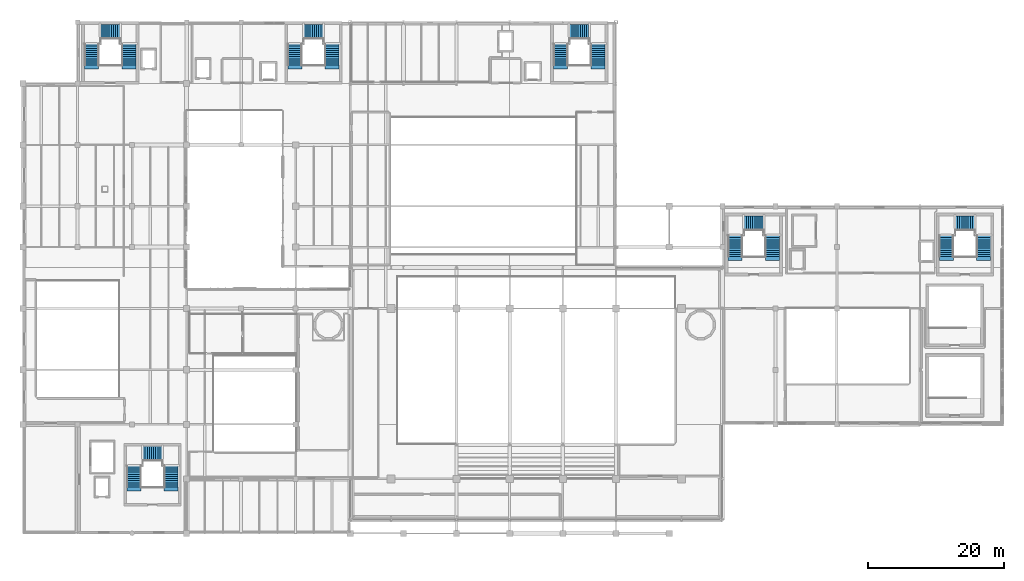
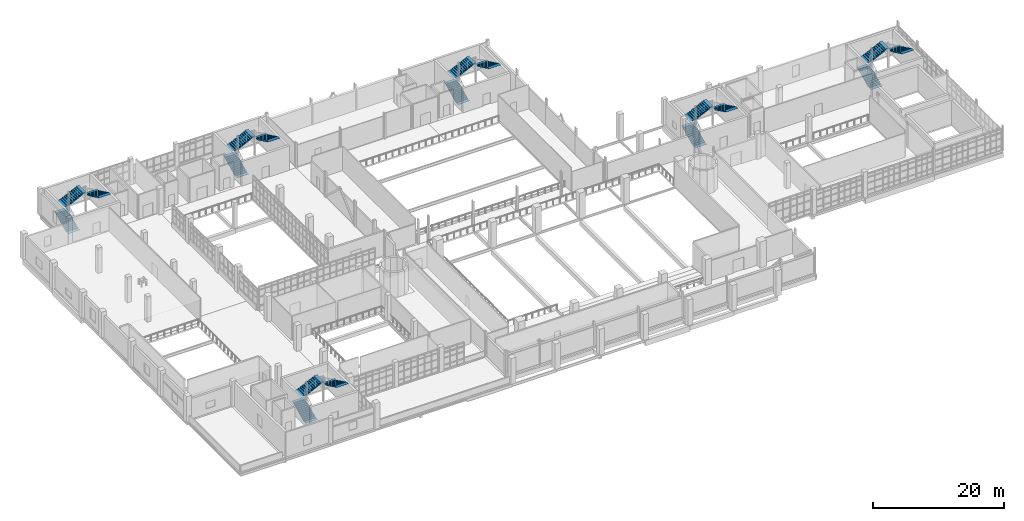
# One storey, part 97 of 102: 18 stair flights, 6 elements without a shape of their own.
"""IFC4 building model written with IfcOpenShell, lengths in metres."""

from ifc_helpers import new_model, si_unit, derived_unit, direction, frame, origin, place, context, subcontext, project, spatial, polyline, outline, extrude, material, type_object, element, aggregate, save


model = new_model("IFC4")

# Units and contexts
model_context = context("Model", 3, precision=1e-05, world=origin(), true_north=direction((0.0, 1.0)))
body_context = subcontext(model_context, "Body", "Model", "MODEL_VIEW")
ifc_project = project(units=[si_unit("LENGTHUNIT", "METRE"), si_unit("AREAUNIT", "SQUARE_METRE"), si_unit("VOLUMEUNIT", "CUBIC_METRE"), si_unit("PLANEANGLEUNIT", "RADIAN"), si_unit("MASSUNIT", "GRAM", prefix="KILO"), derived_unit("THERMALTRANSMITTANCEUNIT", [(si_unit("POWERUNIT", "WATT"), 1), (si_unit("LENGTHUNIT", "METRE"), -2), (si_unit("THERMODYNAMICTEMPERATUREUNIT", "KELVIN"), -1)])], contexts=[model_context])

# Site, building, storey
site_placement = place(None, origin())
site = spatial("IfcSite", under=ifc_project, at=site_placement, CompositionType="ELEMENT")
building_placement = place(site_placement, origin())
building = spatial("IfcBuilding", under=site, at=building_placement, Name="Nallur Shell Playhouse", CompositionType="ELEMENT")
storey_placement = place(building_placement, frame((0.0, 0.0, 15.0)))
storey = spatial("IfcBuildingStorey", under=building, at=storey_placement, Name="L04", CompositionType="ELEMENT", Elevation=15.0)

# Stair, stair flights
ifc_material = material(Name="Concrete M35", Category="concrete")
stair_type = type_object("IfcStairType", Name="ST-CORE-48", PredefinedType="QUARTER_TURN_STAIR", material=ifc_material)
stair_1_placement = place(storey_placement, origin())
stair_1 = element("IfcStair", 1, at=stair_1_placement, inside=storey, type_object=stair_type, Name="Core JC-1 exit stair ST-01-L04 (L04 to L05)", PredefinedType="QUARTER_TURN_STAIR")
stair_flight_type_1 = type_object("IfcStairFlightType", Name="ST-FLIGHT-208", PredefinedType="STRAIGHT", material=ifc_material)
stair_flight_1_placement = place(storey_placement, frame((32.27001953125, 14.800048828125, 0.0), z_axis=(0.0, 0.0, 1.0), x_axis=(0.0, 1.0, 0.0)))
stair_flight_1 = element("IfcStairFlight", 2, at=stair_flight_1_placement, type_object=stair_flight_type_1, Name="ST-48 flight 1", NumberOfRisers=11, NumberOfTreads=10, PredefinedType="STRAIGHT", RiserHeight=0.15, TreadLength=0.31, context=body_context, shape_type="SweptSolid", body=[
    extrude(outline(polyline([(-0.580078125, 0.0), (-0.580078125, 0.01806640625), (0.0, 0.01806640625), (0.0, 0.14990234375), (0.31005859375, 0.14990234375), (0.31005859375, 0.300048828125), (0.6201171875, 0.300048828125), (0.6201171875, 0.449951171875), (0.929931640625, 0.449951171875), (0.929931640625, 0.60009765625), (1.239990234375, 0.60009765625), (1.239990234375, 0.75), (1.550048828125, 0.75), (1.550048828125, 0.89990234375), (1.860107421875, 0.89990234375), (1.860107421875, 1.050048828125), (2.169921875, 1.050048828125), (2.169921875, 1.199951171875), (2.47998046875, 1.199951171875), (2.47998046875, 1.35009765625), (2.7900390625, 1.35009765625), (2.7900390625, 1.5), (3.10009765625, 1.5), (3.10009765625, 1.64990234375), (3.68017578125, 1.64990234375), (3.68017578125, 1.6318359375), (3.10009765625, 1.322265625), (0.3671875, 0.0), (-0.580078125, 0.0)])), frame((0.0, 1.030029296875, 0.0), z_axis=(0.0, -1.0, 0.0), x_axis=(1.0, 0.0, 0.0)), (0.0, 0.0, 1.0), 2.06005859375),
])
stair_flight_2_placement = place(storey_placement, frame((33.60498046875, 19.7099609375, 1.64990234375), z_axis=(0.0, 0.0, 1.0), x_axis=(1.0, 0.0, 0.0)))
stair_flight_2 = element("IfcStairFlight", 3, at=stair_flight_2_placement, type_object=stair_flight_type_1, Name="ST-48 flight 2", NumberOfRisers=10, NumberOfTreads=9, PredefinedType="STRAIGHT", RiserHeight=0.15, TreadLength=0.31, context=body_context, shape_type="SweptSolid", body=[
    extrude(outline(polyline([(-0.580078125, 0.0), (-0.580078125, 0.01806640625), (0.0, 0.01806640625), (0.0, 0.14990234375), (0.31005859375, 0.14990234375), (0.31005859375, 0.300048828125), (0.6201171875, 0.300048828125), (0.6201171875, 0.449951171875), (0.929931640625, 0.449951171875), (0.929931640625, 0.60009765625), (1.239990234375, 0.60009765625), (1.239990234375, 0.75), (1.550048828125, 0.75), (1.550048828125, 0.89990234375), (1.860107421875, 0.89990234375), (1.860107421875, 1.050048828125), (2.169921875, 1.050048828125), (2.169921875, 1.199951171875), (2.47998046875, 1.199951171875), (2.47998046875, 1.35009765625), (2.7900390625, 1.35009765625), (2.7900390625, 1.5), (3.3701171875, 1.5), (3.3701171875, 1.48193359375), (2.7900390625, 1.17236328125), (0.3671875, 0.0), (-0.580078125, 0.0)])), frame((0.0, 1.030029296875, 0.0), z_axis=(0.0, -1.0, 0.0), x_axis=(1.0, 0.0, 0.0)), (0.0, 0.0, 1.0), 2.06005859375),
])
stair_flight_3_placement = place(storey_placement, frame((37.72998046875, 17.89990234375, 3.14990234375), z_axis=(0.0, 0.0, 1.0), x_axis=(0.0, -1.0, 0.0)))
stair_flight_3 = element("IfcStairFlight", 4, at=stair_flight_3_placement, type_object=stair_flight_type_1, Name="ST-48 flight 3", NumberOfRisers=11, NumberOfTreads=10, PredefinedType="STRAIGHT", RiserHeight=0.15, TreadLength=0.31, context=body_context, shape_type="SweptSolid", body=[
    extrude(outline(polyline([(-0.580078125, 0.0), (-0.580078125, 0.01806640625), (0.0, 0.01806640625), (0.0, 0.14990234375), (0.31005859375, 0.14990234375), (0.31005859375, 0.300048828125), (0.6201171875, 0.300048828125), (0.6201171875, 0.449951171875), (0.929931640625, 0.449951171875), (0.929931640625, 0.60009765625), (1.239990234375, 0.60009765625), (1.239990234375, 0.75), (1.550048828125, 0.75), (1.550048828125, 0.89990234375), (1.860107421875, 0.89990234375), (1.860107421875, 1.050048828125), (2.169921875, 1.050048828125), (2.169921875, 1.199951171875), (2.47998046875, 1.199951171875), (2.47998046875, 1.35009765625), (2.7900390625, 1.35009765625), (2.7900390625, 1.5), (3.10009765625, 1.5), (3.10009765625, 1.64990234375), (3.68017578125, 1.64990234375), (3.68017578125, 1.6318359375), (3.10009765625, 1.322265625), (0.3671875, 0.0), (-0.580078125, 0.0)])), frame((0.0, 1.030029296875, 0.0), z_axis=(0.0, -1.0, 0.0), x_axis=(1.0, 0.0, 0.0)), (0.0, 0.0, 1.0), 2.06005859375),
])
aggregate(stair_1, [stair_flight_1, stair_flight_2, stair_flight_3])

stair_2_placement = place(storey_placement, origin())
stair_2 = element("IfcStair", 5, at=stair_2_placement, inside=storey, type_object=stair_type, Name="Core JC-3 exit stair ST-03-L04 (L04 to L05)", PredefinedType="QUARTER_TURN_STAIR")
stair_flight_4_placement = place(storey_placement, frame((55.8701171875, 76.699951171875, 0.0), z_axis=(0.0, 0.0, 1.0), x_axis=(0.0, 1.0, 0.0)))
stair_flight_4 = element("IfcStairFlight", 6, at=stair_flight_4_placement, type_object=stair_flight_type_1, Name="ST-48 flight 1", NumberOfRisers=11, NumberOfTreads=10, PredefinedType="STRAIGHT", RiserHeight=0.15, TreadLength=0.31, context=body_context, shape_type="SweptSolid", body=[
    extrude(outline(polyline([(-0.580078125, 0.0), (-0.580078125, 0.01806640625), (0.0, 0.01806640625), (0.0, 0.14990234375), (0.31005859375, 0.14990234375), (0.31005859375, 0.300048828125), (0.6201171875, 0.300048828125), (0.6201171875, 0.449951171875), (0.929931640625, 0.449951171875), (0.929931640625, 0.60009765625), (1.239990234375, 0.60009765625), (1.239990234375, 0.75), (1.550048828125, 0.75), (1.550048828125, 0.89990234375), (1.860107421875, 0.89990234375), (1.860107421875, 1.050048828125), (2.169921875, 1.050048828125), (2.169921875, 1.199951171875), (2.47998046875, 1.199951171875), (2.47998046875, 1.35009765625), (2.7900390625, 1.35009765625), (2.7900390625, 1.5), (3.10009765625, 1.5), (3.10009765625, 1.64990234375), (3.68017578125, 1.64990234375), (3.68017578125, 1.6318359375), (3.10009765625, 1.322265625), (0.3671875, 0.0), (-0.580078125, 0.0)])), frame((0.0, 1.030029296875, 0.0), z_axis=(0.0, -1.0, 0.0), x_axis=(1.0, 0.0, 0.0)), (0.0, 0.0, 1.0), 2.06005859375),
])
stair_flight_5_placement = place(storey_placement, frame((57.205078125, 81.610107421875, 1.64990234375), z_axis=(0.0, 0.0, 1.0), x_axis=(1.0, 0.0, 0.0)))
stair_flight_5 = element("IfcStairFlight", 7, at=stair_flight_5_placement, type_object=stair_flight_type_1, Name="ST-48 flight 2", NumberOfRisers=10, NumberOfTreads=9, PredefinedType="STRAIGHT", RiserHeight=0.15, TreadLength=0.31, context=body_context, shape_type="SweptSolid", body=[
    extrude(outline(polyline([(-0.580078125, 0.0), (-0.580078125, 0.01806640625), (0.0, 0.01806640625), (0.0, 0.14990234375), (0.31005859375, 0.14990234375), (0.31005859375, 0.300048828125), (0.6201171875, 0.300048828125), (0.6201171875, 0.449951171875), (0.929931640625, 0.449951171875), (0.929931640625, 0.60009765625), (1.239990234375, 0.60009765625), (1.239990234375, 0.75), (1.550048828125, 0.75), (1.550048828125, 0.89990234375), (1.860107421875, 0.89990234375), (1.860107421875, 1.050048828125), (2.169921875, 1.050048828125), (2.169921875, 1.199951171875), (2.47998046875, 1.199951171875), (2.47998046875, 1.35009765625), (2.7900390625, 1.35009765625), (2.7900390625, 1.5), (3.3701171875, 1.5), (3.3701171875, 1.48193359375), (2.7900390625, 1.17236328125), (0.3671875, 0.0), (-0.580078125, 0.0)])), frame((0.0, 1.030029296875, 0.0), z_axis=(0.0, -1.0, 0.0), x_axis=(1.0, 0.0, 0.0)), (0.0, 0.0, 1.0), 2.06005859375),
])
stair_flight_6_placement = place(storey_placement, frame((61.330078125, 79.800048828125, 3.14990234375), z_axis=(0.0, 0.0, 1.0), x_axis=(0.0, -1.0, 0.0)))
stair_flight_6 = element("IfcStairFlight", 8, at=stair_flight_6_placement, type_object=stair_flight_type_1, Name="ST-48 flight 3", NumberOfRisers=11, NumberOfTreads=10, PredefinedType="STRAIGHT", RiserHeight=0.15, TreadLength=0.31, context=body_context, shape_type="SweptSolid", body=[
    extrude(outline(polyline([(-0.580078125, 0.0), (-0.580078125, 0.01806640625), (0.0, 0.01806640625), (0.0, 0.14990234375), (0.31005859375, 0.14990234375), (0.31005859375, 0.300048828125), (0.6201171875, 0.300048828125), (0.6201171875, 0.449951171875), (0.929931640625, 0.449951171875), (0.929931640625, 0.60009765625), (1.239990234375, 0.60009765625), (1.239990234375, 0.75), (1.550048828125, 0.75), (1.550048828125, 0.89990234375), (1.860107421875, 0.89990234375), (1.860107421875, 1.050048828125), (2.169921875, 1.050048828125), (2.169921875, 1.199951171875), (2.47998046875, 1.199951171875), (2.47998046875, 1.35009765625), (2.7900390625, 1.35009765625), (2.7900390625, 1.5), (3.10009765625, 1.5), (3.10009765625, 1.64990234375), (3.68017578125, 1.64990234375), (3.68017578125, 1.6318359375), (3.10009765625, 1.322265625), (0.3671875, 0.0), (-0.580078125, 0.0)])), frame((0.0, 1.030029296875, 0.0), z_axis=(0.0, -1.0, 0.0), x_axis=(1.0, 0.0, 0.0)), (0.0, 0.0, 1.0), 2.06005859375),
])
aggregate(stair_2, [stair_flight_4, stair_flight_5, stair_flight_6])

stair_3_placement = place(storey_placement, origin())
stair_3 = element("IfcStair", 9, at=stair_3_placement, inside=storey, type_object=stair_type, Name="Core JC-5 exit stair ST-05-L04 (L04 to L05)", PredefinedType="QUARTER_TURN_STAIR")
stair_flight_7_placement = place(storey_placement, frame((151.469970703125, 48.60009765625, 0.0), z_axis=(0.0, 0.0, 1.0), x_axis=(0.0, 1.0, 0.0)))
stair_flight_7 = element("IfcStairFlight", 10, at=stair_flight_7_placement, type_object=stair_flight_type_1, Name="ST-48 flight 1", NumberOfRisers=11, NumberOfTreads=10, PredefinedType="STRAIGHT", RiserHeight=0.15, TreadLength=0.31, context=body_context, shape_type="SweptSolid", body=[
    extrude(outline(polyline([(-0.580078125, 0.0), (-0.580078125, 0.01806640625), (0.0, 0.01806640625), (0.0, 0.14990234375), (0.31005859375, 0.14990234375), (0.31005859375, 0.300048828125), (0.6201171875, 0.300048828125), (0.6201171875, 0.449951171875), (0.929931640625, 0.449951171875), (0.929931640625, 0.60009765625), (1.239990234375, 0.60009765625), (1.239990234375, 0.75), (1.550048828125, 0.75), (1.550048828125, 0.89990234375), (1.860107421875, 0.89990234375), (1.860107421875, 1.050048828125), (2.169921875, 1.050048828125), (2.169921875, 1.199951171875), (2.47998046875, 1.199951171875), (2.47998046875, 1.35009765625), (2.7900390625, 1.35009765625), (2.7900390625, 1.5), (3.10009765625, 1.5), (3.10009765625, 1.64990234375), (3.68017578125, 1.64990234375), (3.68017578125, 1.6318359375), (3.10009765625, 1.322265625), (0.3671875, 0.0), (-0.580078125, 0.0)])), frame((0.0, 1.030029296875, 0.0), z_axis=(0.0, -1.0, 0.0), x_axis=(1.0, 0.0, 0.0)), (0.0, 0.0, 1.0), 2.06005859375),
])
stair_flight_8_placement = place(storey_placement, frame((152.804931640625, 53.510009765625, 1.64990234375), z_axis=(0.0, 0.0, 1.0), x_axis=(1.0, 0.0, 0.0)))
stair_flight_8 = element("IfcStairFlight", 11, at=stair_flight_8_placement, type_object=stair_flight_type_1, Name="ST-48 flight 2", NumberOfRisers=10, NumberOfTreads=9, PredefinedType="STRAIGHT", RiserHeight=0.15, TreadLength=0.31, context=body_context, shape_type="SweptSolid", body=[
    extrude(outline(polyline([(-0.580078125, 0.0), (-0.580078125, 0.01806640625), (0.0, 0.01806640625), (0.0, 0.14990234375), (0.31005859375, 0.14990234375), (0.31005859375, 0.300048828125), (0.6201171875, 0.300048828125), (0.6201171875, 0.449951171875), (0.929931640625, 0.449951171875), (0.929931640625, 0.60009765625), (1.239990234375, 0.60009765625), (1.239990234375, 0.75), (1.550048828125, 0.75), (1.550048828125, 0.89990234375), (1.860107421875, 0.89990234375), (1.860107421875, 1.050048828125), (2.169921875, 1.050048828125), (2.169921875, 1.199951171875), (2.47998046875, 1.199951171875), (2.47998046875, 1.35009765625), (2.7900390625, 1.35009765625), (2.7900390625, 1.5), (3.3701171875, 1.5), (3.3701171875, 1.48193359375), (2.7900390625, 1.17236328125), (0.3671875, 0.0), (-0.580078125, 0.0)])), frame((0.0, 1.030029296875, 0.0), z_axis=(0.0, -1.0, 0.0), x_axis=(1.0, 0.0, 0.0)), (0.0, 0.0, 1.0), 2.06005859375),
])
stair_flight_9_placement = place(storey_placement, frame((156.929931640625, 51.699951171875, 3.14990234375), z_axis=(0.0, 0.0, 1.0), x_axis=(0.0, -1.0, 0.0)))
stair_flight_9 = element("IfcStairFlight", 12, at=stair_flight_9_placement, type_object=stair_flight_type_1, Name="ST-48 flight 3", NumberOfRisers=11, NumberOfTreads=10, PredefinedType="STRAIGHT", RiserHeight=0.15, TreadLength=0.31, context=body_context, shape_type="SweptSolid", body=[
    extrude(outline(polyline([(-0.580078125, 0.0), (-0.580078125, 0.01806640625), (0.0, 0.01806640625), (0.0, 0.14990234375), (0.31005859375, 0.14990234375), (0.31005859375, 0.300048828125), (0.6201171875, 0.300048828125), (0.6201171875, 0.449951171875), (0.929931640625, 0.449951171875), (0.929931640625, 0.60009765625), (1.239990234375, 0.60009765625), (1.239990234375, 0.75), (1.550048828125, 0.75), (1.550048828125, 0.89990234375), (1.860107421875, 0.89990234375), (1.860107421875, 1.050048828125), (2.169921875, 1.050048828125), (2.169921875, 1.199951171875), (2.47998046875, 1.199951171875), (2.47998046875, 1.35009765625), (2.7900390625, 1.35009765625), (2.7900390625, 1.5), (3.10009765625, 1.5), (3.10009765625, 1.64990234375), (3.68017578125, 1.64990234375), (3.68017578125, 1.6318359375), (3.10009765625, 1.322265625), (0.3671875, 0.0), (-0.580078125, 0.0)])), frame((0.0, 1.030029296875, 0.0), z_axis=(0.0, -1.0, 0.0), x_axis=(1.0, 0.0, 0.0)), (0.0, 0.0, 1.0), 2.06005859375),
])
aggregate(stair_3, [stair_flight_7, stair_flight_8, stair_flight_9])

stair_4_placement = place(storey_placement, origin())
stair_4 = element("IfcStair", 13, at=stair_4_placement, inside=storey, type_object=stair_type, Name="Core JC-6 exit stair ST-06-L04 (L04 to L05)", PredefinedType="QUARTER_TURN_STAIR")
stair_flight_10_placement = place(storey_placement, frame((26.070068359375, 76.699951171875, 0.0), z_axis=(0.0, 0.0, 1.0), x_axis=(0.0, 1.0, 0.0)))
stair_flight_10 = element("IfcStairFlight", 14, at=stair_flight_10_placement, type_object=stair_flight_type_1, Name="ST-48 flight 1", NumberOfRisers=11, NumberOfTreads=10, PredefinedType="STRAIGHT", RiserHeight=0.15, TreadLength=0.31, context=body_context, shape_type="SweptSolid", body=[
    extrude(outline(polyline([(-0.580078125, 0.0), (-0.580078125, 0.01806640625), (0.0, 0.01806640625), (0.0, 0.14990234375), (0.31005859375, 0.14990234375), (0.31005859375, 0.300048828125), (0.6201171875, 0.300048828125), (0.6201171875, 0.449951171875), (0.929931640625, 0.449951171875), (0.929931640625, 0.60009765625), (1.239990234375, 0.60009765625), (1.239990234375, 0.75), (1.550048828125, 0.75), (1.550048828125, 0.89990234375), (1.860107421875, 0.89990234375), (1.860107421875, 1.050048828125), (2.169921875, 1.050048828125), (2.169921875, 1.199951171875), (2.47998046875, 1.199951171875), (2.47998046875, 1.35009765625), (2.7900390625, 1.35009765625), (2.7900390625, 1.5), (3.10009765625, 1.5), (3.10009765625, 1.64990234375), (3.68017578125, 1.64990234375), (3.68017578125, 1.6318359375), (3.10009765625, 1.322265625), (0.3671875, 0.0), (-0.580078125, 0.0)])), frame((0.0, 1.030029296875, 0.0), z_axis=(0.0, -1.0, 0.0), x_axis=(1.0, 0.0, 0.0)), (0.0, 0.0, 1.0), 2.06005859375),
])
stair_flight_11_placement = place(storey_placement, frame((27.405029296875, 81.610107421875, 1.64990234375), z_axis=(0.0, 0.0, 1.0), x_axis=(1.0, 0.0, 0.0)))
stair_flight_11 = element("IfcStairFlight", 15, at=stair_flight_11_placement, type_object=stair_flight_type_1, Name="ST-48 flight 2", NumberOfRisers=10, NumberOfTreads=9, PredefinedType="STRAIGHT", RiserHeight=0.15, TreadLength=0.31, context=body_context, shape_type="SweptSolid", body=[
    extrude(outline(polyline([(-0.580078125, 0.0), (-0.580078125, 0.01806640625), (0.0, 0.01806640625), (0.0, 0.14990234375), (0.31005859375, 0.14990234375), (0.31005859375, 0.300048828125), (0.6201171875, 0.300048828125), (0.6201171875, 0.449951171875), (0.929931640625, 0.449951171875), (0.929931640625, 0.60009765625), (1.239990234375, 0.60009765625), (1.239990234375, 0.75), (1.550048828125, 0.75), (1.550048828125, 0.89990234375), (1.860107421875, 0.89990234375), (1.860107421875, 1.050048828125), (2.169921875, 1.050048828125), (2.169921875, 1.199951171875), (2.47998046875, 1.199951171875), (2.47998046875, 1.35009765625), (2.7900390625, 1.35009765625), (2.7900390625, 1.5), (3.3701171875, 1.5), (3.3701171875, 1.48193359375), (2.7900390625, 1.17236328125), (0.3671875, 0.0), (-0.580078125, 0.0)])), frame((0.0, 1.030029296875, 0.0), z_axis=(0.0, -1.0, 0.0), x_axis=(1.0, 0.0, 0.0)), (0.0, 0.0, 1.0), 2.06005859375),
])
stair_flight_12_placement = place(storey_placement, frame((31.530029296875, 79.800048828125, 3.14990234375), z_axis=(0.0, 0.0, 1.0), x_axis=(0.0, -1.0, 0.0)))
stair_flight_12 = element("IfcStairFlight", 16, at=stair_flight_12_placement, type_object=stair_flight_type_1, Name="ST-48 flight 3", NumberOfRisers=11, NumberOfTreads=10, PredefinedType="STRAIGHT", RiserHeight=0.15, TreadLength=0.31, context=body_context, shape_type="SweptSolid", body=[
    extrude(outline(polyline([(-0.580078125, 0.0), (-0.580078125, 0.01806640625), (0.0, 0.01806640625), (0.0, 0.14990234375), (0.31005859375, 0.14990234375), (0.31005859375, 0.300048828125), (0.6201171875, 0.300048828125), (0.6201171875, 0.449951171875), (0.929931640625, 0.449951171875), (0.929931640625, 0.60009765625), (1.239990234375, 0.60009765625), (1.239990234375, 0.75), (1.550048828125, 0.75), (1.550048828125, 0.89990234375), (1.860107421875, 0.89990234375), (1.860107421875, 1.050048828125), (2.169921875, 1.050048828125), (2.169921875, 1.199951171875), (2.47998046875, 1.199951171875), (2.47998046875, 1.35009765625), (2.7900390625, 1.35009765625), (2.7900390625, 1.5), (3.10009765625, 1.5), (3.10009765625, 1.64990234375), (3.68017578125, 1.64990234375), (3.68017578125, 1.6318359375), (3.10009765625, 1.322265625), (0.3671875, 0.0), (-0.580078125, 0.0)])), frame((0.0, 1.030029296875, 0.0), z_axis=(0.0, -1.0, 0.0), x_axis=(1.0, 0.0, 0.0)), (0.0, 0.0, 1.0), 2.06005859375),
])
aggregate(stair_4, [stair_flight_10, stair_flight_11, stair_flight_12])

stair_5_placement = place(storey_placement, origin())
stair_5 = element("IfcStair", 17, at=stair_5_placement, inside=storey, type_object=stair_type, Name="Core JC-2 exit stair ST-02-L04 (L04 to L05)", PredefinedType="QUARTER_TURN_STAIR")
stair_flight_type_2 = type_object("IfcStairFlightType", Name="ST-FLIGHT-212", PredefinedType="STRAIGHT", material=ifc_material)
stair_flight_13_placement = place(storey_placement, frame((120.469970703125, 48.60009765625, 0.0), z_axis=(0.0, 0.0, 1.0), x_axis=(0.0, 1.0, 0.0)))
stair_flight_13 = element("IfcStairFlight", 18, at=stair_flight_13_placement, type_object=stair_flight_type_2, Name="ST-48 flight 1", NumberOfRisers=11, NumberOfTreads=10, PredefinedType="STRAIGHT", RiserHeight=0.15, TreadLength=0.31, context=body_context, shape_type="SweptSolid", body=[
    extrude(outline(polyline([(-0.580078125, 0.0), (-0.580078125, 0.01806640625), (0.0, 0.01806640625), (0.0, 0.14990234375), (0.31005859375, 0.14990234375), (0.31005859375, 0.300048828125), (0.6201171875, 0.300048828125), (0.6201171875, 0.449951171875), (0.929931640625, 0.449951171875), (0.929931640625, 0.60009765625), (1.239990234375, 0.60009765625), (1.239990234375, 0.75), (1.550048828125, 0.75), (1.550048828125, 0.89990234375), (1.860107421875, 0.89990234375), (1.860107421875, 1.050048828125), (2.169921875, 1.050048828125), (2.169921875, 1.199951171875), (2.47998046875, 1.199951171875), (2.47998046875, 1.35009765625), (2.7900390625, 1.35009765625), (2.7900390625, 1.5), (3.10009765625, 1.5), (3.10009765625, 1.64990234375), (3.68017578125, 1.64990234375), (3.68017578125, 1.6318359375), (3.10009765625, 1.322265625), (0.3671875, 0.0), (-0.580078125, 0.0)])), frame((0.0, 1.030029296875, 0.0), z_axis=(0.0, -1.0, 0.0), x_axis=(1.0, 0.0, 0.0)), (0.0, 0.0, 1.0), 2.06005859375),
])
stair_flight_14_placement = place(storey_placement, frame((121.804931640625, 53.510009765625, 1.64990234375), z_axis=(0.0, 0.0, 1.0), x_axis=(1.0, 0.0, 0.0)))
stair_flight_14 = element("IfcStairFlight", 19, at=stair_flight_14_placement, type_object=stair_flight_type_2, Name="ST-48 flight 2", NumberOfRisers=10, NumberOfTreads=9, PredefinedType="STRAIGHT", RiserHeight=0.15, TreadLength=0.31, context=body_context, shape_type="SweptSolid", body=[
    extrude(outline(polyline([(-0.580078125, 0.0), (-0.580078125, 0.01806640625), (0.0, 0.01806640625), (0.0, 0.14990234375), (0.31005859375, 0.14990234375), (0.31005859375, 0.300048828125), (0.6201171875, 0.300048828125), (0.6201171875, 0.449951171875), (0.929931640625, 0.449951171875), (0.929931640625, 0.60009765625), (1.239990234375, 0.60009765625), (1.239990234375, 0.75), (1.550048828125, 0.75), (1.550048828125, 0.89990234375), (1.860107421875, 0.89990234375), (1.860107421875, 1.050048828125), (2.169921875, 1.050048828125), (2.169921875, 1.199951171875), (2.47998046875, 1.199951171875), (2.47998046875, 1.35009765625), (2.7900390625, 1.35009765625), (2.7900390625, 1.5), (3.3701171875, 1.5), (3.3701171875, 1.48193359375), (2.7900390625, 1.17236328125), (0.3671875, 0.0), (-0.580078125, 0.0)])), frame((0.0, 1.030029296875, 0.0), z_axis=(0.0, -1.0, 0.0), x_axis=(1.0, 0.0, 0.0)), (0.0, 0.0, 1.0), 2.06005859375),
])
stair_flight_15_placement = place(storey_placement, frame((125.929931640625, 51.699951171875, 3.14990234375), z_axis=(0.0, 0.0, 1.0), x_axis=(0.0, -1.0, 0.0)))
stair_flight_15 = element("IfcStairFlight", 20, at=stair_flight_15_placement, type_object=stair_flight_type_2, Name="ST-48 flight 3", NumberOfRisers=11, NumberOfTreads=10, PredefinedType="STRAIGHT", RiserHeight=0.15, TreadLength=0.31, context=body_context, shape_type="SweptSolid", body=[
    extrude(outline(polyline([(-0.580078125, 0.0), (-0.580078125, 0.01806640625), (0.0, 0.01806640625), (0.0, 0.14990234375), (0.31005859375, 0.14990234375), (0.31005859375, 0.300048828125), (0.6201171875, 0.300048828125), (0.6201171875, 0.449951171875), (0.929931640625, 0.449951171875), (0.929931640625, 0.60009765625), (1.239990234375, 0.60009765625), (1.239990234375, 0.75), (1.550048828125, 0.75), (1.550048828125, 0.89990234375), (1.860107421875, 0.89990234375), (1.860107421875, 1.050048828125), (2.169921875, 1.050048828125), (2.169921875, 1.199951171875), (2.47998046875, 1.199951171875), (2.47998046875, 1.35009765625), (2.7900390625, 1.35009765625), (2.7900390625, 1.5), (3.10009765625, 1.5), (3.10009765625, 1.64990234375), (3.68017578125, 1.64990234375), (3.68017578125, 1.6318359375), (3.10009765625, 1.322265625), (0.3671875, 0.0), (-0.580078125, 0.0)])), frame((0.0, 1.030029296875, 0.0), z_axis=(0.0, -1.0, 0.0), x_axis=(1.0, 0.0, 0.0)), (0.0, 0.0, 1.0), 2.06005859375),
])
aggregate(stair_5, [stair_flight_13, stair_flight_14, stair_flight_15])

stair_6_placement = place(storey_placement, origin())
stair_6 = element("IfcStair", 21, at=stair_6_placement, inside=storey, type_object=stair_type, Name="Core JC-4 exit stair ST-04-L04 (L04 to L05)", PredefinedType="QUARTER_TURN_STAIR")
stair_flight_16_placement = place(storey_placement, frame((94.8701171875, 76.699951171875, 0.0), z_axis=(0.0, 0.0, 1.0), x_axis=(0.0, 1.0, 0.0)))
stair_flight_16 = element("IfcStairFlight", 22, at=stair_flight_16_placement, type_object=stair_flight_type_2, Name="ST-48 flight 1", NumberOfRisers=11, NumberOfTreads=10, PredefinedType="STRAIGHT", RiserHeight=0.15, TreadLength=0.31, context=body_context, shape_type="SweptSolid", body=[
    extrude(outline(polyline([(-0.580078125, 0.0), (-0.580078125, 0.01806640625), (0.0, 0.01806640625), (0.0, 0.14990234375), (0.31005859375, 0.14990234375), (0.31005859375, 0.300048828125), (0.6201171875, 0.300048828125), (0.6201171875, 0.449951171875), (0.929931640625, 0.449951171875), (0.929931640625, 0.60009765625), (1.239990234375, 0.60009765625), (1.239990234375, 0.75), (1.550048828125, 0.75), (1.550048828125, 0.89990234375), (1.860107421875, 0.89990234375), (1.860107421875, 1.050048828125), (2.169921875, 1.050048828125), (2.169921875, 1.199951171875), (2.47998046875, 1.199951171875), (2.47998046875, 1.35009765625), (2.7900390625, 1.35009765625), (2.7900390625, 1.5), (3.10009765625, 1.5), (3.10009765625, 1.64990234375), (3.68017578125, 1.64990234375), (3.68017578125, 1.6318359375), (3.10009765625, 1.322265625), (0.3671875, 0.0), (-0.580078125, 0.0)])), frame((0.0, 1.030029296875, 0.0), z_axis=(0.0, -1.0, 0.0), x_axis=(1.0, 0.0, 0.0)), (0.0, 0.0, 1.0), 2.06005859375),
])
stair_flight_17_placement = place(storey_placement, frame((96.205078125, 81.610107421875, 1.64990234375), z_axis=(0.0, 0.0, 1.0), x_axis=(1.0, 0.0, 0.0)))
stair_flight_17 = element("IfcStairFlight", 23, at=stair_flight_17_placement, type_object=stair_flight_type_2, Name="ST-48 flight 2", NumberOfRisers=10, NumberOfTreads=9, PredefinedType="STRAIGHT", RiserHeight=0.15, TreadLength=0.31, context=body_context, shape_type="SweptSolid", body=[
    extrude(outline(polyline([(-0.580078125, 0.0), (-0.580078125, 0.01806640625), (0.0, 0.01806640625), (0.0, 0.14990234375), (0.31005859375, 0.14990234375), (0.31005859375, 0.300048828125), (0.6201171875, 0.300048828125), (0.6201171875, 0.449951171875), (0.929931640625, 0.449951171875), (0.929931640625, 0.60009765625), (1.239990234375, 0.60009765625), (1.239990234375, 0.75), (1.550048828125, 0.75), (1.550048828125, 0.89990234375), (1.860107421875, 0.89990234375), (1.860107421875, 1.050048828125), (2.169921875, 1.050048828125), (2.169921875, 1.199951171875), (2.47998046875, 1.199951171875), (2.47998046875, 1.35009765625), (2.7900390625, 1.35009765625), (2.7900390625, 1.5), (3.3701171875, 1.5), (3.3701171875, 1.48193359375), (2.7900390625, 1.17236328125), (0.3671875, 0.0), (-0.580078125, 0.0)])), frame((0.0, 1.030029296875, 0.0), z_axis=(0.0, -1.0, 0.0), x_axis=(1.0, 0.0, 0.0)), (0.0, 0.0, 1.0), 2.06005859375),
])
stair_flight_18_placement = place(storey_placement, frame((100.330078125, 79.800048828125, 3.14990234375), z_axis=(0.0, 0.0, 1.0), x_axis=(0.0, -1.0, 0.0)))
stair_flight_18 = element("IfcStairFlight", 24, at=stair_flight_18_placement, type_object=stair_flight_type_2, Name="ST-48 flight 3", NumberOfRisers=11, NumberOfTreads=10, PredefinedType="STRAIGHT", RiserHeight=0.15, TreadLength=0.31, context=body_context, shape_type="SweptSolid", body=[
    extrude(outline(polyline([(-0.580078125, 0.0), (-0.580078125, 0.01806640625), (0.0, 0.01806640625), (0.0, 0.14990234375), (0.31005859375, 0.14990234375), (0.31005859375, 0.300048828125), (0.6201171875, 0.300048828125), (0.6201171875, 0.449951171875), (0.929931640625, 0.449951171875), (0.929931640625, 0.60009765625), (1.239990234375, 0.60009765625), (1.239990234375, 0.75), (1.550048828125, 0.75), (1.550048828125, 0.89990234375), (1.860107421875, 0.89990234375), (1.860107421875, 1.050048828125), (2.169921875, 1.050048828125), (2.169921875, 1.199951171875), (2.47998046875, 1.199951171875), (2.47998046875, 1.35009765625), (2.7900390625, 1.35009765625), (2.7900390625, 1.5), (3.10009765625, 1.5), (3.10009765625, 1.64990234375), (3.68017578125, 1.64990234375), (3.68017578125, 1.6318359375), (3.10009765625, 1.322265625), (0.3671875, 0.0), (-0.580078125, 0.0)])), frame((0.0, 1.030029296875, 0.0), z_axis=(0.0, -1.0, 0.0), x_axis=(1.0, 0.0, 0.0)), (0.0, 0.0, 1.0), 2.06005859375),
])
aggregate(stair_6, [stair_flight_16, stair_flight_17, stair_flight_18])

save(model, "model.ifc")
